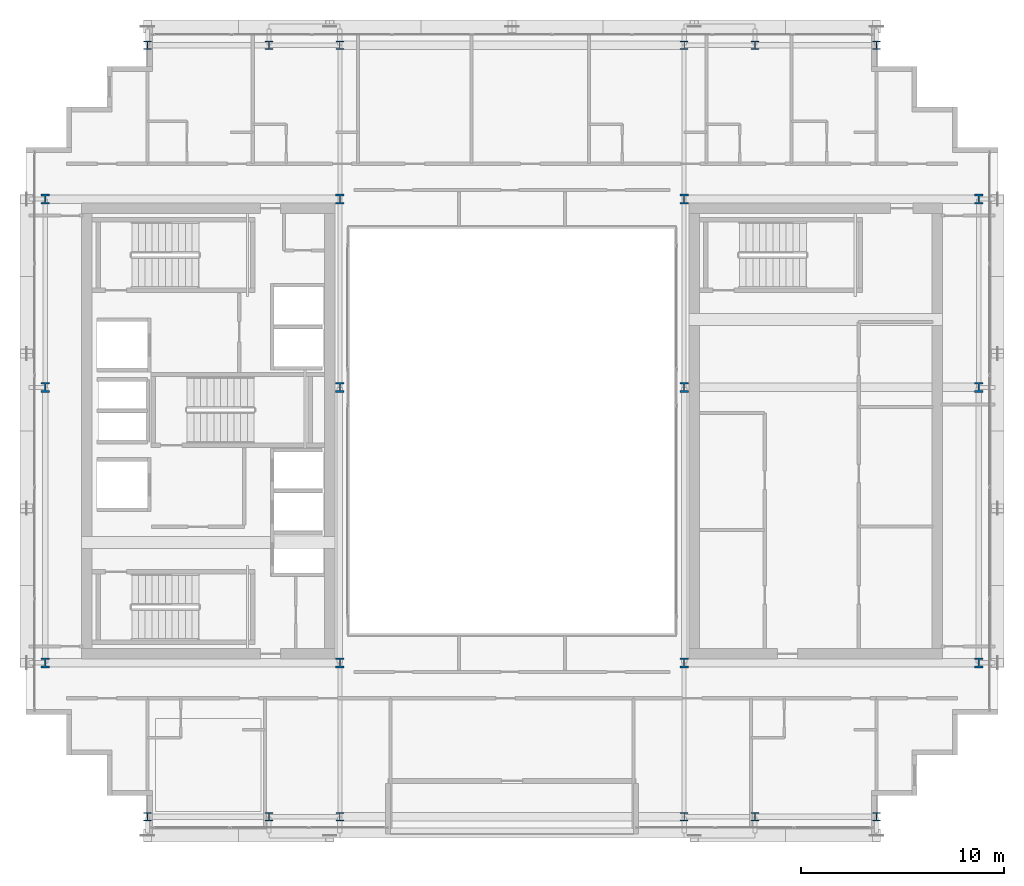
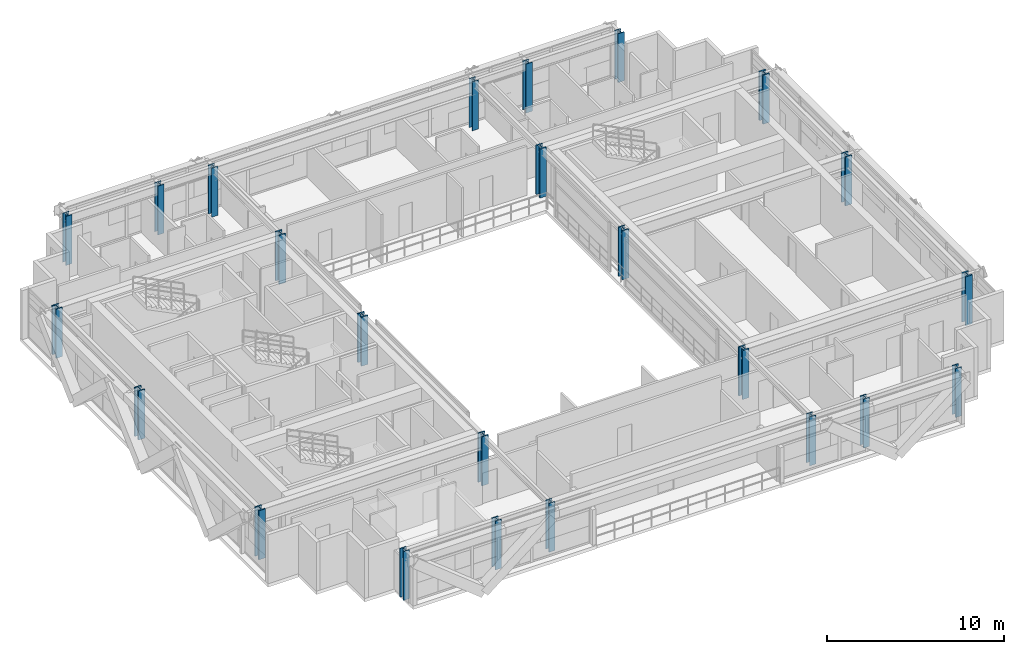
# One storey, part 1 of 37: 24 columns.
"""IFC4 building model written with IfcOpenShell, lengths in metres."""

from ifc_helpers import new_model, si_unit, direction, frame, origin, origin_2d, place, context, subcontext, project, spatial, i_section, extrude, source, transform, mapped, material, material_profile, profile_set, type_object, element, save


model = new_model("IFC4")

# Units and contexts
model_context = context("Model", 3, precision=1e-05, world=origin(), true_north=direction((0.0, 1.0)))
body_context = subcontext(model_context, "Body", "Model", "MODEL_VIEW")
ifc_project = project(units=[si_unit("LENGTHUNIT", "METRE"), si_unit("AREAUNIT", "SQUARE_METRE"), si_unit("VOLUMEUNIT", "CUBIC_METRE"), si_unit("PLANEANGLEUNIT", "RADIAN"), si_unit("MASSUNIT", "GRAM", prefix="KILO")], contexts=[model_context])

# Site, building, storey
site_placement = place(None, origin())
site = spatial("IfcSite", under=ifc_project, at=site_placement, CompositionType="ELEMENT")
building_placement = place(site_placement, origin())
building = spatial("IfcBuilding", under=site, at=building_placement, Name="Ocotamira Hotel", CompositionType="ELEMENT")
storey_placement = place(building_placement, frame((0.0, 0.0, 192.0)))
storey = spatial("IfcBuildingStorey", under=building, at=storey_placement, Name="L48", CompositionType="ELEMENT", Elevation=192.0)

# Columns
ifc_material = material(Name="Steel ASTM A913 Grade 65", Category="steel")
ifc_material_profile_1 = material_profile(ifc_material, i_section(OverallWidth=0.431884765625, OverallDepth=0.498046875, WebThickness=0.0556640625, FlangeThickness=0.0888671875, FilletRadius=0.02490234375, at=origin_2d()), Name="W14X500")
ifc_profile_set_1 = profile_set([ifc_material_profile_1], Name="Steel ASTM A913 Grade 65")
column_type_1 = type_object("IfcColumnType", Name="COL-W14X500", PredefinedType="COLUMN", material=ifc_profile_set_1)
shared_shape_1 = source(origin(), body_context, "Body", "SweptSolid", [
    extrude(i_section(OverallWidth=0.431884765625, OverallDepth=0.498046875, WebThickness=0.0556640625, FlangeThickness=0.0888671875, FilletRadius=0.02490234375, at=origin_2d()), origin(), (0.0, 0.0, 1.0), 3.3701171875),
])
for number, where, z_axis, x_axis, name in (
    (1, (8.949951171875, 14.550048828125, 0.0), (0.0, 0.0, 1.0), (1.0, 0.0, 0.0), "L48 Column TW8_14"),
    (2, (23.5, 14.550048828125, 0.0), (0.0, 0.0, 1.0), (1.0, 0.0, 0.0), "L48 Column TW23_14"),
    (3, (40.5, 14.550048828125, 0.0), (0.0, 0.0, 1.0), (1.0, 0.0, 0.0), "L48 Column TE40_14"),
    (4, (55.050048828125, 14.550048828125, 0.0), (0.0, 0.0, 1.0), (1.0, 0.0, 0.0), "L48 Column TE55_14"),
    (5, (8.949951171875, 28.14990234375, 0.0), (0.0, 0.0, 1.0), (1.0, 0.0, 0.0), "L48 Column TW8_28"),
    (6, (23.5, 28.14990234375, 0.0), (0.0, 0.0, 1.0), (1.0, 0.0, 0.0), "L48 Column TW23_28"),
    (7, (40.5, 28.14990234375, 0.0), (0.0, 0.0, 1.0), (1.0, 0.0, 0.0), "L48 Column TE40_28"),
    (8, (55.050048828125, 28.14990234375, 0.0), (0.0, 0.0, 1.0), (1.0, 0.0, 0.0), "L48 Column TE55_28"),
    (9, (8.949951171875, 37.449951171875, 0.0), (0.0, 0.0, 1.0), (1.0, 0.0, 0.0), "L48 Column TW8_37"),
    (10, (23.5, 37.449951171875, 0.0), (0.0, 0.0, 1.0), (1.0, 0.0, 0.0), "L48 Column TW23_37"),
    (11, (40.5, 37.449951171875, 0.0), (0.0, 0.0, 1.0), (1.0, 0.0, 0.0), "L48 Column TE40_37"),
    (12, (55.050048828125, 37.449951171875, 0.0), (0.0, 0.0, 1.0), (1.0, 0.0, 0.0), "L48 Column TE55_37"),
):
    element("IfcColumn", number, at=place(storey_placement, frame(where, z_axis=z_axis, x_axis=x_axis)), inside=storey, type_object=column_type_1, Name=name, PredefinedType="COLUMN", context=body_context, shape_type="MappedRepresentation", body=[
        mapped(shared_shape_1, transform((0.0, 0.0, 0.0), scale=1.0)),
    ])
ifc_material_profile_2 = material_profile(ifc_material, i_section(OverallWidth=0.404052734375, OverallDepth=0.406982421875, WebThickness=0.027099609375, FlangeThickness=0.043701171875, FilletRadius=0.02490234375, at=origin_2d()), Name="W14X233")
ifc_profile_set_2 = profile_set([ifc_material_profile_2], Name="Steel ASTM A913 Grade 65")
column_type_2 = type_object("IfcColumnType", Name="COL-W14X233", PredefinedType="COLUMN", material=ifc_profile_set_2)
shared_shape_2 = source(origin(), body_context, "Body", "SweptSolid", [
    extrude(i_section(OverallWidth=0.404052734375, OverallDepth=0.406982421875, WebThickness=0.027099609375, FlangeThickness=0.043701171875, FilletRadius=0.02490234375, at=origin_2d()), origin(), (0.0, 0.0, 1.0), 3.3701171875),
])
for number, where, z_axis, x_axis, name in (
    (13, (14.0, 6.949951171875, 0.0), (0.0, 0.0, 1.0), (1.0, 0.0, 0.0), "L48 Column NSP1_14"),
    (14, (20.0, 6.949951171875, 0.0), (0.0, 0.0, 1.0), (1.0, 0.0, 0.0), "L48 Column NSP1_20"),
    (15, (23.5, 6.949951171875, 0.0), (0.0, 0.0, 1.0), (1.0, 0.0, 0.0), "L48 Column NSP1_23"),
    (16, (40.5, 6.949951171875, 0.0), (0.0, 0.0, 1.0), (1.0, 0.0, 0.0), "L48 Column NSP1_40"),
    (17, (44.0, 6.949951171875, 0.0), (0.0, 0.0, 1.0), (1.0, 0.0, 0.0), "L48 Column NSP1_44"),
    (18, (50.0, 6.949951171875, 0.0), (0.0, 0.0, 1.0), (1.0, 0.0, 0.0), "L48 Column NSP1_50"),
    (19, (14.0, 45.050048828125, 0.0), (0.0, 0.0, 1.0), (1.0, 0.0, 0.0), "L48 Column NSP2_14"),
    (20, (20.0, 45.050048828125, 0.0), (0.0, 0.0, 1.0), (1.0, 0.0, 0.0), "L48 Column NSP2_20"),
    (21, (23.5, 45.050048828125, 0.0), (0.0, 0.0, 1.0), (1.0, 0.0, 0.0), "L48 Column NSP2_23"),
    (22, (40.5, 45.050048828125, 0.0), (0.0, 0.0, 1.0), (1.0, 0.0, 0.0), "L48 Column NSP2_40"),
    (23, (44.0, 45.050048828125, 0.0), (0.0, 0.0, 1.0), (1.0, 0.0, 0.0), "L48 Column NSP2_44"),
    (24, (50.0, 45.050048828125, 0.0), (0.0, 0.0, 1.0), (1.0, 0.0, 0.0), "L48 Column NSP2_50"),
):
    element("IfcColumn", number, at=place(storey_placement, frame(where, z_axis=z_axis, x_axis=x_axis)), inside=storey, type_object=column_type_2, Name=name, PredefinedType="COLUMN", context=body_context, shape_type="MappedRepresentation", body=[
        mapped(shared_shape_2, transform((0.0, 0.0, 0.0), scale=1.0)),
    ])

save(model, "model.ifc")
